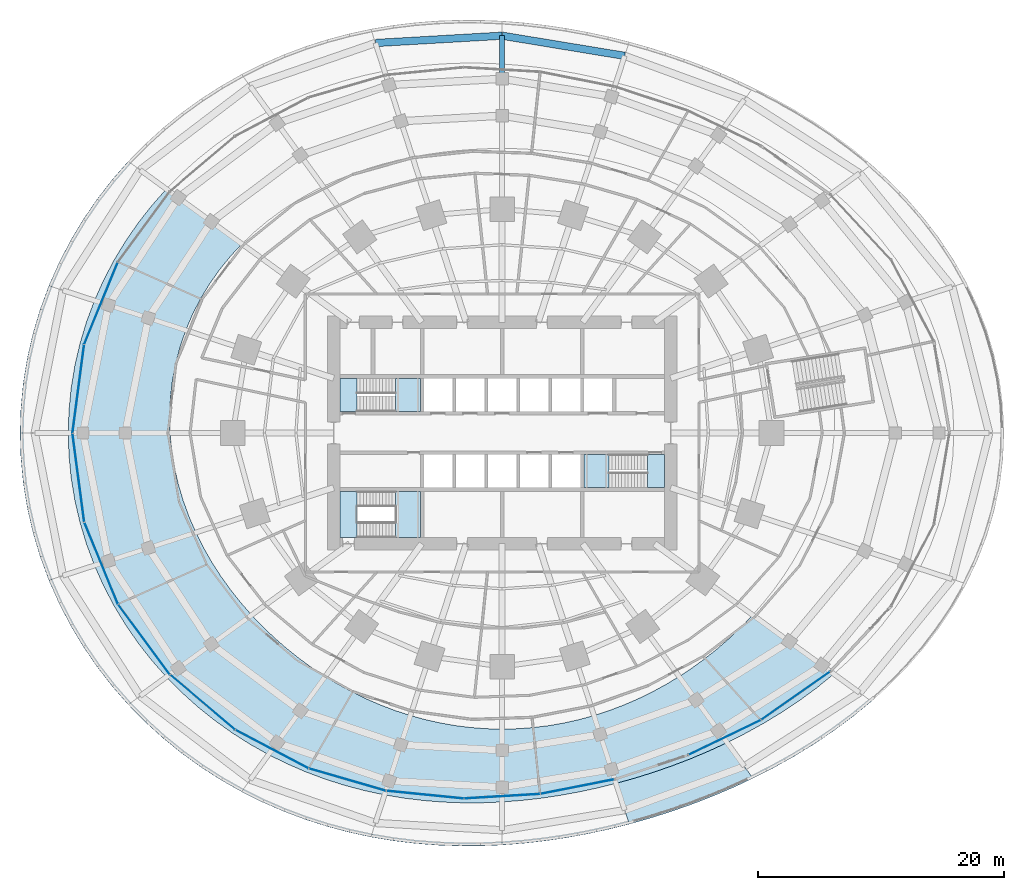
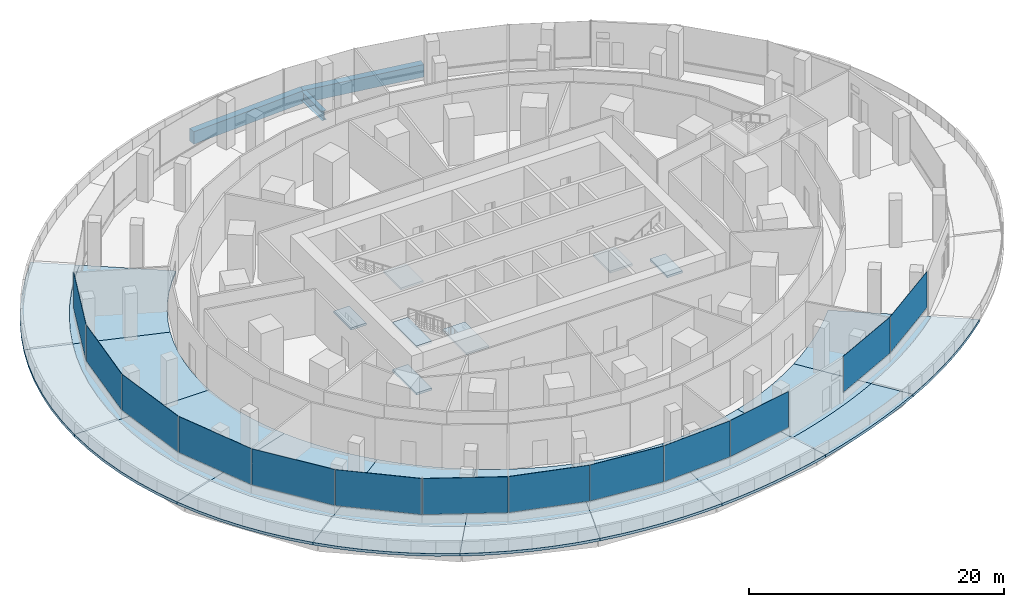
# One storey, part 16 of 27: 27 slabs, 13 plates, 3 beams, 7 elements without a shape of their own.
"""IFC4 building model written with IfcOpenShell, lengths in metres."""

from ifc_helpers import new_model, si_unit, direction, frame, origin, origin_2d, place, context, subcontext, project, spatial, polyline, rectangle, i_section, outline, extrude, material, layer, layer_set, material_profile, profile_set, type_object, element, aggregate, save


model = new_model("IFC4")

# Units and contexts
model_context = context("Model", 3, precision=1e-05, world=origin(), true_north=direction((0.0, 1.0)))
body_context = subcontext(model_context, "Body", "Model", "MODEL_VIEW")
ifc_project = project(units=[si_unit("LENGTHUNIT", "METRE"), si_unit("AREAUNIT", "SQUARE_METRE"), si_unit("VOLUMEUNIT", "CUBIC_METRE"), si_unit("PLANEANGLEUNIT", "RADIAN"), si_unit("MASSUNIT", "GRAM", prefix="KILO")], contexts=[model_context])

# Site, building, storey
site_placement = place(None, origin())
site = spatial("IfcSite", under=ifc_project, at=site_placement, CompositionType="ELEMENT")
building_placement = place(site_placement, origin())
building = spatial("IfcBuilding", under=site, at=building_placement, Name="Marramba Exchange Tower", CompositionType="ELEMENT")
storey_placement = place(building_placement, frame((0.0, 0.0, 10.60009765625)))
storey = spatial("IfcBuildingStorey", under=building, at=storey_placement, Name="L02", CompositionType="ELEMENT", Elevation=10.60009765625)

# Beams
ifc_material_1 = material(Name="Concrete N50", Category="concrete")
ifc_material_profile_1 = material_profile(ifc_material_1, rectangle(XDim=0.60009765625, YDim=1.199951171875, at=origin_2d()), Name="RC 600x1200")
ifc_profile_set_1 = profile_set([ifc_material_profile_1], Name="Concrete N50")
beam_type_1 = type_object("IfcBeamType", Name="Edge beam RC 600x1200 N50", PredefinedType="SPANDREL", material=ifc_profile_set_1)
beam_1_placement = place(storey_placement, frame((9.962158203125, 30.66015625, -0.85009765625), z_axis=(-0.986720687671, 0.16242624333, 0.0), x_axis=(-0.16242624333, -0.986720687671, 0.0)))
element("IfcBeam", 1, at=beam_1_placement, inside=storey, type_object=beam_type_1, Name="Edge beam L02 P1C05", PredefinedType="SPANDREL", context=body_context, shape_type="SweptSolid", body=[
    extrude(rectangle(XDim=0.60009765625, YDim=1.199951171875, at=origin_2d()), origin(), (0.0, 0.0, 1.0), 10.09619140625),
])
beam_2_placement = place(storey_placement, frame((0.0, 32.300048828125, -0.85009765625), z_axis=(-0.99834326258, -0.057538943873, 0.0), x_axis=(0.057538943873, -0.99834326258, 0.0)))
element("IfcBeam", 2, at=beam_2_placement, inside=storey, type_object=beam_type_1, Name="Edge beam L02 P1C06", PredefinedType="SPANDREL", context=body_context, shape_type="SweptSolid", body=[
    extrude(rectangle(XDim=0.60009765625, YDim=1.199951171875, at=origin_2d()), origin(), (0.0, 0.0, 1.0), 10.319091796875),
])
ifc_material_2 = material(Name="Steel AS/NZS 3679.2 grade 300", Category="steel")
ifc_material_profile_2 = material_profile(ifc_material_2, i_section(OverallWidth=0.39990234375, OverallDepth=0.89990234375, WebThickness=0.01611328125, FlangeThickness=0.031982421875, at=origin_2d()), Name="900WB282")
ifc_profile_set_2 = profile_set([ifc_material_profile_2], Name="Steel AS/NZS 3679.2 grade 300")
beam_type_2 = type_object("IfcBeamType", Name="Radial girder 900WB282", PredefinedType="BEAM", material=ifc_profile_set_2)
beam_3_placement = place(storey_placement, frame((0.0, 32.300048828125, -0.7001953125), z_axis=(0.0, -1.0, 0.0), x_axis=(1.0, 0.0, 0.0)))
element("IfcBeam", 3, at=beam_3_placement, inside=storey, type_object=beam_type_2, Name="Radial girder L02 P1C06", PredefinedType="BEAM", context=body_context, shape_type="SweptSolid", body=[
    extrude(i_section(OverallWidth=0.39990234375, OverallDepth=0.89990234375, WebThickness=0.01611328125, FlangeThickness=0.031982421875, at=origin_2d()), origin(), (0.0, 0.0, 1.0), 3.5),
])

# Slabs
ifc_material_3 = material(Name="Concrete N40", Category="concrete")
ifc_layer_1 = layer(ifc_material_3, 0.199951171875)
ifc_layer_set_1 = layer_set([ifc_layer_1], Name="Floor slab 200")
slab_type_1 = type_object("IfcSlabType", Name="Floor slab 200", PredefinedType="FLOOR", material=ifc_layer_set_1)
slab_1_placement = place(storey_placement, frame((0.0, 0.0, -0.2001953125)))
element("IfcSlab", 4, at=slab_1_placement, inside=storey, type_object=slab_type_1, Name="Floor slab L02 podium bay 09", PredefinedType="FLOOR", context=body_context, shape_type="SweptSolid", body=[
    extrude(outline(polyline([(-32.40087890625, 12.4375), (-31.55615234375, 14.049560546875), (-30.61767578125, 15.6005859375), (-29.591796875, 17.0849609375), (-28.484619140625, 18.498291015625), (-27.302734375, 19.836669921875), (-21.158447265625, 15.37255859375), (-22.10107421875, 14.3525390625), (-22.9794921875, 13.267333984375), (-23.786865234375, 12.1201171875), (-24.516357421875, 10.915283203125), (-25.16162109375, 9.65869140625), (-25.717529296875, 8.356201171875), (-33.146484375, 10.77001953125), (-32.40087890625, 12.4375)])), origin(), (0.0, 0.0, 1.0), 0.2001953125),
])
slab_2_placement = place(storey_placement, frame((0.0, 0.0, -0.2001953125)))
element("IfcSlab", 5, at=slab_2_placement, inside=storey, type_object=slab_type_1, Name="Floor slab L02 podium bay 10", PredefinedType="FLOOR", context=body_context, shape_type="SweptSolid", body=[
    extrude(outline(polyline([(-35.21923828125, 1.845703125), (-35.03759765625, 3.6826171875), (-34.736572265625, 5.501708984375), (-34.318603515625, 7.294677734375), (-33.787353515625, 9.05322265625), (-33.146484375, 10.77001953125), (-25.717529296875, 8.356201171875), (-26.179443359375, 7.0146484375), (-26.5439453125, 5.64208984375), (-26.80859375, 4.24609375), (-26.97265625, 2.8349609375), (-27.035888671875, 1.4169921875), (-27.0, 0.0), (-35.280029296875, 0.0), (-35.21923828125, 1.845703125)])), origin(), (0.0, 0.0, 1.0), 0.2001953125),
])
slab_3_placement = place(storey_placement, frame((0.0, 0.0, -0.2001953125)))
element("IfcSlab", 6, at=slab_3_placement, inside=storey, type_object=slab_type_1, Name="Floor slab L02 podium bay 11", PredefinedType="FLOOR", context=body_context, shape_type="SweptSolid", body=[
    extrude(outline(polyline([(-33.146484375, -10.77001953125), (-33.787353515625, -9.05322265625), (-34.318603515625, -7.294677734375), (-34.736572265625, -5.501708984375), (-35.03759765625, -3.6826171875), (-35.21923828125, -1.845703125), (-35.280029296875, 0.0), (-27.0, 0.0), (-26.8671875, -1.407958984375), (-26.64111328125, -2.800048828125), (-26.326171875, -4.169677734375), (-25.927001953125, -5.510986328125), (-25.44921875, -6.819091796875), (-24.8984375, -8.090087890625), (-33.146484375, -10.77001953125)])), origin(), (0.0, 0.0, 1.0), 0.2001953125),
])
slab_4_placement = place(storey_placement, frame((0.0, 0.0, -0.2001953125)))
element("IfcSlab", 7, at=slab_4_placement, inside=storey, type_object=slab_type_1, Name="Floor slab L02 podium bay 12", PredefinedType="FLOOR", context=body_context, shape_type="SweptSolid", body=[
    extrude(outline(polyline([(-28.484619140625, -18.498291015625), (-29.591796875, -17.0849609375), (-30.61767578125, -15.6005859375), (-31.55615234375, -14.049560546875), (-32.40087890625, -12.4375), (-33.146484375, -10.77001953125), (-24.8984375, -8.090087890625), (-24.280517578125, -9.320556640625), (-23.60107421875, -10.5078125), (-22.865234375, -11.650390625), (-22.078369140625, -12.7470703125), (-21.244873046875, -13.796630859375), (-20.36865234375, -14.798583984375), (-27.302734375, -19.836669921875), (-28.484619140625, -18.498291015625)])), origin(), (0.0, 0.0, 1.0), 0.2001953125),
])
slab_5_placement = place(storey_placement, frame((0.0, 0.0, -0.2001953125)))
element("IfcSlab", 8, at=slab_5_placement, inside=storey, type_object=slab_type_1, Name="Floor slab L02 podium bay 13", PredefinedType="FLOOR", context=body_context, shape_type="SweptSolid", body=[
    extrude(outline(polyline([(-20.49609375, -25.310791015625), (-21.955810546875, -24.38427734375), (-23.37255859375, -23.37255859375), (-24.740234375, -22.276123046875), (-26.052490234375, -21.096923828125), (-27.302734375, -19.836669921875), (-20.36865234375, -14.798583984375), (-19.453369140625, -15.753173828125), (-18.502197265625, -16.659423828125), (-17.517578125, -17.517578125), (-16.501953125, -18.327392578125), (-15.457275390625, -19.088134765625), (-14.385009765625, -19.799072265625), (-18.999755859375, -26.15087890625), (-20.49609375, -25.310791015625)])), origin(), (0.0, 0.0, 1.0), 0.2001953125),
])
slab_6_placement = place(storey_placement, frame((0.0, 0.0, -0.2001953125)))
element("IfcSlab", 9, at=slab_6_placement, inside=storey, type_object=slab_type_1, Name="Floor slab L02 podium bay 14", PredefinedType="FLOOR", context=body_context, shape_type="SweptSolid", body=[
    extrude(outline(polyline([(-11.163818359375, -29.082763671875), (-12.760986328125, -28.661376953125), (-14.347900390625, -28.159423828125), (-15.920166015625, -27.574462890625), (-17.47265625, -26.905517578125), (-18.999755859375, -26.15087890625), (-14.385009765625, -19.799072265625), (-13.286865234375, -20.459716796875), (-12.164306640625, -21.069091796875), (-11.01904296875, -21.6259765625), (-9.8525390625, -22.129150390625), (-8.66650390625, -22.577392578125), (-7.463134765625, -22.968994140625), (-9.56103515625, -29.42578125), (-11.163818359375, -29.082763671875)])), origin(), (0.0, 0.0, 1.0), 0.2001953125),
])
slab_7_placement = place(storey_placement, frame((0.0, 0.0, -0.2001953125)))
element("IfcSlab", 10, at=slab_7_placement, inside=storey, type_object=slab_type_1, Name="Floor slab L02 podium bay 15", PredefinedType="FLOOR", context=body_context, shape_type="SweptSolid", body=[
    extrude(outline(polyline([(-1.57568359375, -30.065185546875), (-3.160400390625, -30.0703125), (-4.75341796875, -30.01220703125), (-6.352783203125, -29.887451171875), (-7.956298828125, -29.693115234375), (-9.56103515625, -29.42578125), (-7.463134765625, -22.968994140625), (-6.244140625, -23.30322265625), (-5.01171875, -23.578369140625), (-3.7685546875, -23.793701171875), (-2.51708984375, -23.947998046875), (-1.260009765625, -24.041015625), (0.0, -24.072021484375), (0.0, -30.0), (-1.57568359375, -30.065185546875)])), origin(), (0.0, 0.0, 1.0), 0.2001953125),
])
slab_8_placement = place(storey_placement, frame((0.0, 0.0, -0.2001953125)))
element("IfcSlab", 11, at=slab_8_placement, inside=storey, type_object=slab_type_1, Name="Floor slab L02 podium bay 16", PredefinedType="FLOOR", context=body_context, shape_type="SweptSolid", body=[
    extrude(outline(polyline([(9.256591796875, -28.48876953125), (7.734375, -28.864990234375), (6.205078125, -29.19287109375), (4.66796875, -29.471923828125), (3.12158203125, -29.700927734375), (1.56591796875, -29.877685546875), (0.0, -30.0), (0.0, -24.072021484375), (1.260009765625, -24.041015625), (2.51708984375, -23.947998046875), (3.7685546875, -23.793701171875), (5.01171875, -23.578369140625), (6.244140625, -23.30322265625), (7.463134765625, -22.968994140625), (9.256591796875, -28.48876953125)])), origin(), (0.0, 0.0, 1.0), 0.2001953125),
])
slab_9_placement = place(storey_placement, frame((0.0, 0.0, -0.2001953125)))
element("IfcSlab", 12, at=slab_9_placement, inside=storey, type_object=slab_type_1, Name="Floor slab L02 podium bay 17", PredefinedType="FLOOR", context=body_context, shape_type="SweptSolid", body=[
    extrude(outline(polyline([(18.29052734375, -25.1748046875), (16.795654296875, -25.863037109375), (15.2958984375, -26.4931640625), (13.7919921875, -27.068359375), (12.284423828125, -27.591552734375), (10.77294921875, -28.064453125), (9.256591796875, -28.48876953125), (7.463134765625, -22.968994140625), (8.66650390625, -22.577392578125), (9.8525390625, -22.129150390625), (11.01904296875, -21.6259765625), (12.164306640625, -21.069091796875), (13.286865234375, -20.459716796875), (14.385009765625, -19.799072265625), (18.29052734375, -25.1748046875)])), origin(), (0.0, 0.0, 1.0), 0.2001953125),
])
slab_10_placement = place(storey_placement, frame((0.0, 0.0, -0.2001953125)))
element("IfcSlab", 13, at=slab_10_placement, inside=storey, type_object=slab_type_1, Name="Floor slab L02 podium bay 18", PredefinedType="FLOOR", context=body_context, shape_type="SweptSolid", body=[
    extrude(outline(polyline([(26.96728515625, -19.593017578125), (25.58349609375, -20.71728515625), (24.165283203125, -21.758544921875), (22.720703125, -22.720703125), (21.256591796875, -23.60791015625), (19.778564453125, -24.42431640625), (18.29052734375, -25.1748046875), (14.385009765625, -19.799072265625), (15.457275390625, -19.088134765625), (16.501953125, -18.327392578125), (17.517578125, -17.517578125), (18.502197265625, -16.659423828125), (19.453369140625, -15.753173828125), (20.36865234375, -14.798583984375), (26.96728515625, -19.593017578125)])), origin(), (0.0, 0.0, 1.0), 0.2001953125),
])
ifc_layer_2 = layer(ifc_material_3, 0.25)
ifc_layer_set_2 = layer_set([ifc_layer_2], Name="Planted roof slab 250")
slab_type_2 = type_object("IfcSlabType", Name="Planted roof slab 250", PredefinedType="ROOF", material=ifc_layer_set_2)
slab_11_placement = place(storey_placement, frame((0.0, 0.0, -0.25)))
element("IfcSlab", 14, at=slab_11_placement, inside=storey, type_object=slab_type_2, Name="Planted roof slab L02 bay 09", PredefinedType="ROOF", context=body_context, shape_type="SweptSolid", body=[
    extrude(outline(polyline([(-36.0322265625, 13.83154296875), (-35.10107421875, 15.6279296875), (-34.065673828125, 17.357421875), (-32.932861328125, 19.013671875), (-31.709228515625, 20.59228515625), (-30.401611328125, 22.088134765625), (-27.302734375, 19.836669921875), (-28.484619140625, 18.498291015625), (-29.591796875, 17.0849609375), (-30.61767578125, 15.6005859375), (-31.55615234375, 14.049560546875), (-32.40087890625, 12.4375), (-33.146484375, 10.77001953125), (-36.853515625, 11.974365234375), (-36.0322265625, 13.83154296875)])), origin(), (0.0, 0.0, 1.0), 0.25),
])
slab_12_placement = place(storey_placement, frame((0.0, 0.0, -0.25)))
element("IfcSlab", 15, at=slab_12_placement, inside=storey, type_object=slab_type_2, Name="Planted roof slab L02 bay 10", PredefinedType="ROOF", context=body_context, shape_type="SweptSolid", body=[
    extrude(outline(polyline([(-39.13330078125, 2.05078125), (-38.933837890625, 4.092041015625), (-38.60302734375, 6.114013671875), (-38.1435546875, 8.107666015625), (-37.558837890625, 10.06396484375), (-36.853515625, 11.974365234375), (-33.146484375, 10.77001953125), (-33.787353515625, 9.05322265625), (-34.318603515625, 7.294677734375), (-34.736572265625, 5.501708984375), (-35.03759765625, 3.6826171875), (-35.21923828125, 1.845703125), (-35.280029296875, 0.0), (-39.199951171875, 0.0), (-39.13330078125, 2.05078125)])), origin(), (0.0, 0.0, 1.0), 0.25),
])
slab_13_placement = place(storey_placement, frame((0.0, 0.0, -0.25)))
element("IfcSlab", 16, at=slab_13_placement, inside=storey, type_object=slab_type_2, Name="Planted roof slab L02 bay 11", PredefinedType="ROOF", context=body_context, shape_type="SweptSolid", body=[
    extrude(outline(polyline([(-36.853515625, -11.974365234375), (-37.558837890625, -10.06396484375), (-38.1435546875, -8.107666015625), (-38.60302734375, -6.114013671875), (-38.933837890625, -4.092041015625), (-39.13330078125, -2.05078125), (-39.199951171875, 0.0), (-35.280029296875, 0.0), (-35.21923828125, -1.845703125), (-35.03759765625, -3.6826171875), (-34.736572265625, -5.501708984375), (-34.318603515625, -7.294677734375), (-33.787353515625, -9.05322265625), (-33.146484375, -10.77001953125), (-36.853515625, -11.974365234375)])), origin(), (0.0, 0.0, 1.0), 0.25),
])
slab_14_placement = place(storey_placement, frame((0.0, 0.0, -0.25)))
element("IfcSlab", 17, at=slab_14_placement, inside=storey, type_object=slab_type_2, Name="Planted roof slab L02 bay 12", PredefinedType="ROOF", context=body_context, shape_type="SweptSolid", body=[
    extrude(outline(polyline([(-31.709228515625, -20.59228515625), (-32.932861328125, -19.013671875), (-34.065673828125, -17.357421875), (-35.10107421875, -15.6279296875), (-36.0322265625, -13.83154296875), (-36.853515625, -11.974365234375), (-33.146484375, -10.77001953125), (-32.40087890625, -12.4375), (-31.55615234375, -14.049560546875), (-30.61767578125, -15.6005859375), (-29.591796875, -17.0849609375), (-28.484619140625, -18.498291015625), (-27.302734375, -19.836669921875), (-30.401611328125, -22.088134765625), (-31.709228515625, -20.59228515625)])), origin(), (0.0, 0.0, 1.0), 0.25),
])
slab_15_placement = place(storey_placement, frame((0.0, 0.0, -0.25)))
element("IfcSlab", 18, at=slab_15_placement, inside=storey, type_object=slab_type_2, Name="Planted roof slab L02 bay 13", PredefinedType="ROOF", context=body_context, shape_type="SweptSolid", body=[
    extrude(outline(polyline([(-21.18798828125, -29.162841796875), (-22.8515625, -28.219482421875), (-24.47314453125, -27.18017578125), (-26.0458984375, -26.0458984375), (-27.56298828125, -24.81787109375), (-29.01708984375, -23.49755859375), (-30.401611328125, -22.088134765625), (-27.302734375, -19.836669921875), (-26.052490234375, -21.096923828125), (-24.740234375, -22.276123046875), (-23.37255859375, -23.37255859375), (-21.955810546875, -24.38427734375), (-20.49609375, -25.310791015625), (-18.999755859375, -26.15087890625), (-21.18798828125, -29.162841796875)])), origin(), (0.0, 0.0, 1.0), 0.25),
])
slab_16_placement = place(storey_placement, frame((0.0, 0.0, -0.25)))
element("IfcSlab", 19, at=slab_16_placement, inside=storey, type_object=slab_type_2, Name="Planted roof slab L02 bay 14", PredefinedType="ROOF", context=body_context, shape_type="SweptSolid", body=[
    extrude(outline(polyline([(-10.6728515625, -32.84765625), (-12.46044921875, -32.460693359375), (-14.240966796875, -31.98583984375), (-16.009521484375, -31.420654296875), (-17.7607421875, -30.762451171875), (-19.489013671875, -30.01025390625), (-21.18798828125, -29.162841796875), (-18.999755859375, -26.15087890625), (-17.47265625, -26.905517578125), (-15.920166015625, -27.574462890625), (-14.347900390625, -28.159423828125), (-12.760986328125, -28.661376953125), (-11.163818359375, -29.082763671875), (-9.56103515625, -29.42578125), (-10.6728515625, -32.84765625)])), origin(), (0.0, 0.0, 1.0), 0.25),
])
slab_17_placement = place(storey_placement, frame((0.0, 0.0, -0.25)))
element("IfcSlab", 20, at=slab_17_placement, inside=storey, type_object=slab_type_2, Name="Planted roof slab L02 bay 15", PredefinedType="ROOF", context=body_context, shape_type="SweptSolid", body=[
    extrude(outline(polyline([(-1.759521484375, -33.572509765625), (-3.529052734375, -33.5771484375), (-5.3076171875, -33.5107421875), (-7.0927734375, -33.369140625), (-8.88232421875, -33.1494140625), (-10.6728515625, -32.84765625), (-9.56103515625, -29.42578125), (-7.956298828125, -29.693115234375), (-6.352783203125, -29.887451171875), (-4.75341796875, -30.01220703125), (-3.160400390625, -30.0703125), (-1.57568359375, -30.065185546875), (0.0, -30.0), (0.0, -33.5), (-1.759521484375, -33.572509765625)])), origin(), (0.0, 0.0, 1.0), 0.25),
])
slab_18_placement = place(storey_placement, frame((0.0, 0.0, -0.25)))
element("IfcSlab", 21, at=slab_18_placement, inside=storey, type_object=slab_type_2, Name="Planted roof slab L02 bay 16", PredefinedType="ROOF", context=body_context, shape_type="SweptSolid", body=[
    extrude(outline(polyline([(10.3330078125, -31.801513671875), (8.634521484375, -32.224853515625), (6.927978515625, -32.59375), (5.212158203125, -32.907470703125), (3.48583984375, -33.164794921875), (1.74853515625, -33.363037109375), (0.0, -33.5), (0.0, -30.0), (1.56591796875, -29.877685546875), (3.12158203125, -29.700927734375), (4.66796875, -29.471923828125), (6.205078125, -29.19287109375), (7.734375, -28.864990234375), (9.256591796875, -28.48876953125), (10.3330078125, -31.801513671875)])), origin(), (0.0, 0.0, 1.0), 0.25),
])
slab_19_placement = place(storey_placement, frame((0.0, 0.0, -0.25)))
element("IfcSlab", 22, at=slab_19_placement, inside=storey, type_object=slab_type_2, Name="Planted roof slab L02 bay 18", PredefinedType="ROOF", context=body_context, shape_type="SweptSolid", body=[
    extrude(outline(polyline([(30.028076171875, -21.816650390625), (28.494873046875, -23.07470703125), (26.92236328125, -24.240966796875), (25.319580078125, -25.319580078125), (23.69384765625, -26.314697265625), (22.051513671875, -27.231201171875), (20.39697265625, -28.073974609375), (18.29052734375, -25.1748046875), (19.778564453125, -24.42431640625), (21.256591796875, -23.60791015625), (22.720703125, -22.720703125), (24.165283203125, -21.758544921875), (25.58349609375, -20.71728515625), (26.96728515625, -19.593017578125), (30.028076171875, -21.816650390625)])), origin(), (0.0, 0.0, 1.0), 0.25),
])

# Curtain wall, plates
ifc_material_4 = material(Name="Aluminium framing, bronze anodised", Category="aluminium")
curtain_wall_type = type_object("IfcCurtainWallType", Name="Podium ribbon curtain wall", PredefinedType="USERDEFINED", material=ifc_material_4)
curtain_wall_1_placement = place(storey_placement, origin())
curtain_wall_1 = element("IfcCurtainWall", 23, at=curtain_wall_1_placement, inside=storey, type_object=curtain_wall_type, Name="Curtain wall CW2 L02 F11-F15", ObjectType="RIBBON CURTAIN WALL", PredefinedType="USERDEFINED")
ifc_material_5 = material(Name="Double glazed unit 8 + 12 + 8.76, bronze tinted", Category="glass")
ifc_layer_3 = layer(ifc_material_5, 0.02880859375)
ifc_layer_set_3 = layer_set([ifc_layer_3], Name="Podium ribbon curtain wall panel")
plate_type = type_object("IfcPlateType", Name="Podium ribbon curtain wall panel", PredefinedType="CURTAIN_PANEL", material=ifc_layer_set_3)
plate_1_placement = place(storey_placement, frame((-32.61767578125, 10.536865234375, 0.85986328125), z_axis=(0.0, 0.0, 1.0), x_axis=(-0.379239669632, -0.925298477778, 0.0)))
plate_1 = element("IfcPlate", 24, at=plate_1_placement, type_object=plate_type, Name="CW2 vision panel", PredefinedType="CURTAIN_PANEL", context=body_context, shape_type="SweptSolid", body=[
    extrude(rectangle(XDim=7.1650390625, YDim=0.02880859375, at=origin_2d()), origin(), (0.0, 0.0, 1.0), 3.43994140625),
])
plate_2_placement = place(storey_placement, frame((-34.45703125, 3.581298828125, 0.85986328125), z_axis=(0.0, 0.0, 1.0), x_axis=(-0.130911287965, -0.991394086468, 0.0)))
plate_2 = element("IfcPlate", 25, at=plate_2_placement, type_object=plate_type, Name="CW2 vision panel", PredefinedType="CURTAIN_PANEL", context=body_context, shape_type="SweptSolid", body=[
    extrude(rectangle(XDim=7.224609375, YDim=0.02880859375, at=origin_2d()), origin(), (0.0, 0.0, 1.0), 3.43994140625),
])
aggregate(curtain_wall_1, [plate_1, plate_2])

curtain_wall_2_placement = place(storey_placement, origin())
curtain_wall_2 = element("IfcCurtainWall", 26, at=curtain_wall_2_placement, inside=storey, type_object=curtain_wall_type, Name="Curtain wall CW2 L02 F16-F20", ObjectType="RIBBON CURTAIN WALL", PredefinedType="USERDEFINED")
plate_3_placement = place(storey_placement, frame((-34.44921875, -3.640625, 0.85986328125), z_axis=(0.0, 0.0, 1.0), x_axis=(0.130911287965, -0.991394086468, 0.0)))
plate_3 = element("IfcPlate", 27, at=plate_3_placement, type_object=plate_type, Name="CW2 vision panel", PredefinedType="CURTAIN_PANEL", context=body_context, shape_type="SweptSolid", body=[
    extrude(rectangle(XDim=7.224609375, YDim=0.02880859375, at=origin_2d()), origin(), (0.0, 0.0, 1.0), 3.43994140625),
])
plate_4_placement = place(storey_placement, frame((-32.594970703125, -10.59228515625, 0.85986328125), z_axis=(0.0, 0.0, 1.0), x_axis=(0.379239669632, -0.925298477778, 0.0)))
plate_4 = element("IfcPlate", 28, at=plate_4_placement, type_object=plate_type, Name="CW2 vision panel", PredefinedType="CURTAIN_PANEL", context=body_context, shape_type="SweptSolid", body=[
    extrude(rectangle(XDim=7.1650390625, YDim=0.02880859375, at=origin_2d()), origin(), (0.0, 0.0, 1.0), 3.43994140625),
])
plate_5_placement = place(storey_placement, frame((-29.110107421875, -16.793212890625, 0.85986328125), z_axis=(0.0, 0.0, 1.0), x_axis=(0.593136265904, -0.805102086738, 0.0)))
plate_5 = element("IfcPlate", 29, at=plate_5_placement, type_object=plate_type, Name="CW2 vision panel", PredefinedType="CURTAIN_PANEL", context=body_context, shape_type="SweptSolid", body=[
    extrude(rectangle(XDim=7.049072265625, YDim=0.02880859375, at=origin_2d()), origin(), (0.0, 0.0, 1.0), 3.43994140625),
])
plate_6_placement = place(storey_placement, frame((-24.34765625, -21.89697265625, 0.85986328125), z_axis=(0.0, 0.0, 1.0), x_axis=(0.762643251269, -0.646819349814, 0.0)))
plate_6 = element("IfcPlate", 30, at=plate_6_placement, type_object=plate_type, Name="CW2 vision panel", PredefinedType="CURTAIN_PANEL", context=body_context, shape_type="SweptSolid", body=[
    extrude(rectangle(XDim=6.886962890625, YDim=0.02880859375, at=origin_2d()), origin(), (0.0, 0.0, 1.0), 3.43994140625),
])
plate_7_placement = place(storey_placement, frame((-18.706787109375, -25.7119140625, 0.85986328125), z_axis=(0.0, 0.0, 1.0), x_axis=(0.88482139208, -0.465930364021, 0.0)))
plate_7 = element("IfcPlate", 31, at=plate_7_placement, type_object=plate_type, Name="CW2 vision panel", PredefinedType="CURTAIN_PANEL", context=body_context, shape_type="SweptSolid", body=[
    extrude(rectangle(XDim=6.6943359375, YDim=0.02880859375, at=origin_2d()), origin(), (0.0, 0.0, 1.0), 3.43994140625),
])
aggregate(curtain_wall_2, [plate_3, plate_4, plate_5, plate_6, plate_7])

curtain_wall_3_placement = place(storey_placement, origin())
curtain_wall_3 = element("IfcCurtainWall", 32, at=curtain_wall_3_placement, inside=storey, type_object=curtain_wall_type, Name="Curtain wall CW2 L02 F21-F24", ObjectType="RIBBON CURTAIN WALL", PredefinedType="USERDEFINED")
plate_8_placement = place(storey_placement, frame((-12.570068359375, -28.1904296875, 0.85986328125), z_axis=(0.0, 0.0, 1.0), x_axis=(0.96055927808, -0.278075301482, 0.0)))
plate_8 = element("IfcPlate", 33, at=plate_8_placement, type_object=plate_type, Name="CW2 vision panel", PredefinedType="CURTAIN_PANEL", context=body_context, shape_type="SweptSolid", body=[
    extrude(rectangle(XDim=6.49072265625, YDim=0.02880859375, at=origin_2d()), origin(), (0.0, 0.0, 1.0), 3.43994140625),
])
plate_9_placement = place(storey_placement, frame((-6.258544921875, -29.41064453125, 0.85986328125), z_axis=(0.0, 0.0, 1.0), x_axis=(0.995093650258, -0.098937491458, 0.0)))
plate_9 = element("IfcPlate", 34, at=plate_9_placement, type_object=plate_type, Name="CW2 vision panel", PredefinedType="CURTAIN_PANEL", context=body_context, shape_type="SweptSolid", body=[
    extrude(rectangle(XDim=6.300048828125, YDim=0.02880859375, at=origin_2d()), origin(), (0.0, 0.0, 1.0), 3.43994140625),
])
plate_10_placement = place(storey_placement, frame((0.010498046875, -29.53564453125, 0.85986328125), z_axis=(0.0, 0.0, 1.0), x_axis=(0.99823486166, 0.059389906272, 0.0)))
plate_10 = element("IfcPlate", 35, at=plate_10_placement, type_object=plate_type, Name="CW2 vision panel", PredefinedType="CURTAIN_PANEL", context=body_context, shape_type="SweptSolid", body=[
    extrude(rectangle(XDim=6.159912109375, YDim=0.02880859375, at=origin_2d()), origin(), (0.0, 0.0, 1.0), 3.43994140625),
])
plate_11_placement = place(storey_placement, frame((6.11669921875, -28.75439453125, 0.85986328125), z_axis=(0.0, 0.0, 1.0), x_axis=(0.981067098318, 0.19366814038, 0.0)))
plate_11 = element("IfcPlate", 36, at=plate_11_placement, type_object=plate_type, Name="CW2 vision panel", PredefinedType="CURTAIN_PANEL", context=body_context, shape_type="SweptSolid", body=[
    extrude(rectangle(XDim=6.060302734375, YDim=0.02880859375, at=origin_2d()), origin(), (0.0, 0.0, 1.0), 3.43994140625),
])
aggregate(curtain_wall_3, [plate_8, plate_9, plate_10, plate_11])

curtain_wall_4_placement = place(storey_placement, origin())
curtain_wall_4 = element("IfcCurtainWall", 37, at=curtain_wall_4_placement, inside=storey, type_object=curtain_wall_type, Name="Curtain wall CW2 L02 F26-F27", ObjectType="RIBBON CURTAIN WALL", PredefinedType="USERDEFINED")
plate_12_placement = place(storey_placement, frame((18.0986328125, -24.755859375, 0.85986328125), z_axis=(0.0, 0.0, 1.0), x_axis=(0.900956000795, 0.433910456929, 0.0)))
plate_12 = element("IfcPlate", 38, at=plate_12_placement, type_object=plate_type, Name="CW2 vision panel", PredefinedType="CURTAIN_PANEL", context=body_context, shape_type="SweptSolid", body=[
    extrude(rectangle(XDim=6.490478515625, YDim=0.02880859375, at=origin_2d()), origin(), (0.0, 0.0, 1.0), 3.43994140625),
])
plate_13_placement = place(storey_placement, frame((23.853271484375, -21.367431640625, 0.85986328125), z_axis=(0.0, 0.0, 1.0), x_axis=(0.819415982174, 0.573199309279, 0.0)))
plate_13 = element("IfcPlate", 39, at=plate_13_placement, type_object=plate_type, Name="CW2 vision panel", PredefinedType="CURTAIN_PANEL", context=body_context, shape_type="SweptSolid", body=[
    extrude(rectangle(XDim=6.78955078125, YDim=0.02880859375, at=origin_2d()), origin(), (0.0, 0.0, 1.0), 3.43994140625),
])
aggregate(curtain_wall_4, [plate_12, plate_13])

# Stair, slabs
ifc_material_6 = material(Name="Concrete N40 (40 MPa)", Category="concrete")
stair_type_1 = type_object("IfcStairType", Name="Exit stair ST1 4500 x 1250", PredefinedType="HALF_TURN_STAIR", material=ifc_material_6)
stair_1_placement = place(storey_placement, origin())
stair_1 = element("IfcStair", 40, at=stair_1_placement, inside=storey, type_object=stair_type_1, Name="Exit stair ST1 L02", PredefinedType="HALF_TURN_STAIR")
ifc_layer_4 = layer(ifc_material_6, 0.199951171875)
ifc_layer_set_4 = layer_set([ifc_layer_4], Name="Stair landing 200")
slab_type_3 = type_object("IfcSlabType", Name="Stair landing 200", PredefinedType="LANDING", material=ifc_layer_set_4)
slab_20_placement = place(storey_placement, frame((0.0, 0.0, -0.2001953125)))
slab_20 = element("IfcSlab", 41, at=slab_20_placement, type_object=slab_type_3, Name="ST1 landing 1", PredefinedType="LANDING", context=body_context, shape_type="SweptSolid", body=[
    extrude(outline(polyline([(-13.199951171875, 1.75), (-11.800048828125, 1.75), (-11.800048828125, 4.449951171875), (-13.199951171875, 4.449951171875), (-13.199951171875, 1.75)])), origin(), (0.0, 0.0, 1.0), 0.2001953125),
])
slab_21_placement = place(storey_placement, frame((0.0, 0.0, 2.0498046875)))
slab_21 = element("IfcSlab", 42, at=slab_21_placement, type_object=slab_type_3, Name="ST1 landing 2", PredefinedType="LANDING", context=body_context, shape_type="SweptSolid", body=[
    extrude(outline(polyline([(-8.679931640625, 1.75), (-6.64990234375, 1.75), (-6.64990234375, 4.449951171875), (-8.679931640625, 4.449951171875), (-8.679931640625, 1.75)])), origin(), (0.0, 0.0, 1.0), 0.2001953125),
])
aggregate(stair_1, [slab_20, slab_21])

stair_type_2 = type_object("IfcStairType", Name="Exit stair ST2 4500 x 1250", PredefinedType="HALF_TURN_STAIR", material=ifc_material_6)
stair_2_placement = place(storey_placement, origin())
stair_2 = element("IfcStair", 43, at=stair_2_placement, inside=storey, type_object=stair_type_2, Name="Exit stair ST2 L02", PredefinedType="HALF_TURN_STAIR")
slab_22_placement = place(storey_placement, frame((0.0, 0.0, -0.2001953125)))
slab_22 = element("IfcSlab", 44, at=slab_22_placement, type_object=slab_type_3, Name="ST2 landing 1", PredefinedType="LANDING", context=body_context, shape_type="SweptSolid", body=[
    extrude(outline(polyline([(11.800048828125, -4.449951171875), (13.199951171875, -4.449951171875), (13.199951171875, -1.75), (11.800048828125, -1.75), (11.800048828125, -4.449951171875)])), origin(), (0.0, 0.0, 1.0), 0.2001953125),
])
slab_23_placement = place(storey_placement, frame((0.0, 0.0, 2.0498046875)))
slab_23 = element("IfcSlab", 45, at=slab_23_placement, type_object=slab_type_3, Name="ST2 landing 2", PredefinedType="LANDING", context=body_context, shape_type="SweptSolid", body=[
    extrude(outline(polyline([(6.64990234375, -4.449951171875), (8.679931640625, -4.449951171875), (8.679931640625, -1.75), (6.64990234375, -1.75), (6.64990234375, -4.449951171875)])), origin(), (0.0, 0.0, 1.0), 0.2001953125),
])
aggregate(stair_2, [slab_22, slab_23])

stair_type_3 = type_object("IfcStairType", Name="Exit stair ST3 4500 x 1250", PredefinedType="HALF_TURN_STAIR", material=ifc_material_6)
stair_3_placement = place(storey_placement, origin())
stair_3 = element("IfcStair", 46, at=stair_3_placement, inside=storey, type_object=stair_type_3, Name="Exit stair ST3 L02", PredefinedType="HALF_TURN_STAIR")
slab_24_placement = place(storey_placement, frame((0.0, 0.0, -0.2001953125)))
slab_24 = element("IfcSlab", 47, at=slab_24_placement, type_object=slab_type_3, Name="ST3 landing 1", PredefinedType="LANDING", context=body_context, shape_type="SweptSolid", body=[
    extrude(outline(polyline([(-13.199951171875, -8.5), (-11.800048828125, -8.5), (-11.800048828125, -4.75), (-13.199951171875, -4.75), (-13.199951171875, -8.5)])), origin(), (0.0, 0.0, 1.0), 0.2001953125),
])
slab_25_placement = place(storey_placement, frame((0.0, 0.0, 2.0498046875)))
slab_25 = element("IfcSlab", 48, at=slab_25_placement, type_object=slab_type_3, Name="ST3 landing 2", PredefinedType="LANDING", context=body_context, shape_type="SweptSolid", body=[
    extrude(outline(polyline([(-8.679931640625, -8.5), (-6.64990234375, -8.5), (-6.64990234375, -4.75), (-8.679931640625, -4.75), (-8.679931640625, -8.5)])), origin(), (0.0, 0.0, 1.0), 0.2001953125),
])
slab_26_placement = place(storey_placement, frame((0.0, 0.0, 4.2998046875)))
slab_26 = element("IfcSlab", 49, at=slab_26_placement, type_object=slab_type_3, Name="ST3 landing 3", PredefinedType="LANDING", context=body_context, shape_type="SweptSolid", body=[
    extrude(outline(polyline([(-13.199951171875, -8.5), (-11.800048828125, -8.5), (-11.800048828125, -4.75), (-13.199951171875, -4.75), (-13.199951171875, -8.5)])), origin(), (0.0, 0.0, 1.0), 0.2001953125),
])
aggregate(stair_3, [slab_24, slab_25, slab_26])

# Slab
ifc_layer_5 = layer(ifc_material_3, 0.25)
ifc_layer_set_5 = layer_set([ifc_layer_5], Name="Terrace slab 250")
slab_type_4 = type_object("IfcSlabType", Name="Terrace slab 250", PredefinedType="FLOOR", material=ifc_layer_set_5)
slab_27_placement = place(storey_placement, frame((0.0, 0.0, -0.25)))
element("IfcSlab", 50, at=slab_27_placement, inside=storey, type_object=slab_type_4, Name="Terrace slab L02 bay 17", PredefinedType="FLOOR", context=body_context, shape_type="SweptSolid", body=[
    extrude(outline(polyline([(20.39697265625, -28.073974609375), (18.73388671875, -28.84765625), (17.064208984375, -29.55615234375), (15.389404296875, -30.203125), (13.70947265625, -30.791748046875), (12.024169921875, -31.323974609375), (10.3330078125, -31.801513671875), (9.256591796875, -28.48876953125), (10.77294921875, -28.064453125), (12.284423828125, -27.591552734375), (13.7919921875, -27.068359375), (15.2958984375, -26.4931640625), (16.795654296875, -25.863037109375), (18.29052734375, -25.1748046875), (20.39697265625, -28.073974609375)])), origin(), (0.0, 0.0, 1.0), 0.25),
])

save(model, "model.ifc")
